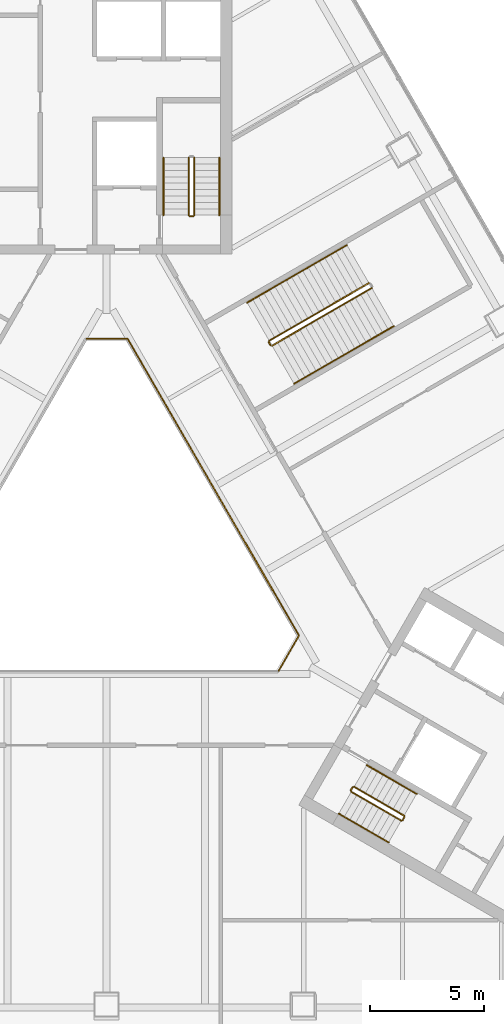
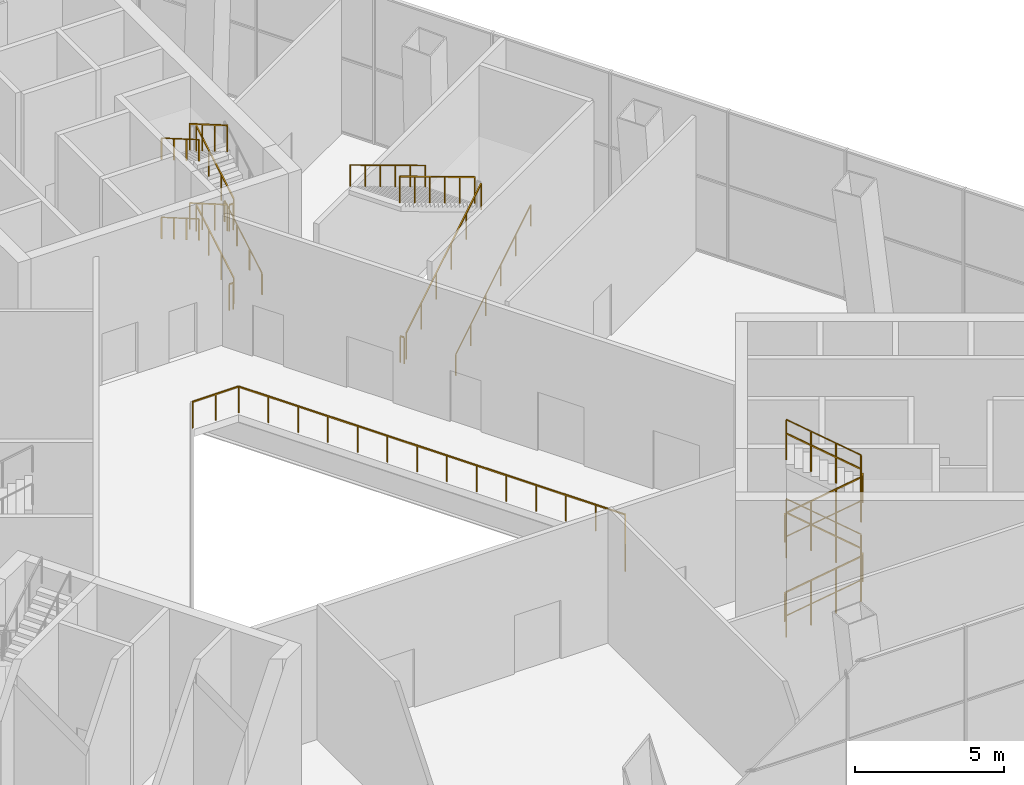
# One storey, part 16 of 17: 27 railings.
"""IFC4 building model written with IfcOpenShell, lengths in metres."""

from ifc_helpers import new_model, si_unit, direction, frame, origin, origin_2d, place, context, subcontext, project, spatial, rectangle, circle, extrude, material, type_object, element, save


model = new_model("IFC4")

# Units and contexts
model_context = context("Model", 3, precision=1e-05, world=origin(), true_north=direction((0.0, 1.0)))
body_context = subcontext(model_context, "Body", "Model", "MODEL_VIEW")
ifc_project = project(units=[si_unit("LENGTHUNIT", "METRE"), si_unit("AREAUNIT", "SQUARE_METRE"), si_unit("VOLUMEUNIT", "CUBIC_METRE"), si_unit("PLANEANGLEUNIT", "RADIAN"), si_unit("MASSUNIT", "GRAM", prefix="KILO")], contexts=[model_context])

# Site, building, storey
site_placement = place(None, origin())
site = spatial("IfcSite", under=ifc_project, at=site_placement, CompositionType="ELEMENT")
building_placement = place(site_placement, origin())
building = spatial("IfcBuilding", under=site, at=building_placement, Name="Apuvela Tower Hotel", CompositionType="ELEMENT")
storey_placement = place(building_placement, frame((0.0, 0.0, 9.0)))
storey = spatial("IfcBuildingStorey", under=building, at=storey_placement, Name="L01", CompositionType="ELEMENT", Elevation=9.0)

# Railings
ifc_material_1 = material(Name="Steel S275 balustrade", Category="steel")
railing_type_1 = type_object("IfcRailingType", Name="COR-GUARD-1100", PredefinedType="GUARDRAIL", material=ifc_material_1)
railing_1_placement = place(storey_placement, frame((3.85009765625, 14.60009765625, 0.16259765625)))
element("IfcRailing", 1, at=railing_1_placement, inside=storey, type_object=railing_type_1, Name="L01 ST1 stair guard 1", PredefinedType="GUARDRAIL", context=body_context, shape_type="SweptSolid", body=[
    extrude(rectangle(XDim=0.048095703125, YDim=0.048095703125, at=origin_2d()), frame((0.0, 0.0, 1.076171875), z_axis=(0.0, 0.864913338283, 0.50192122615), x_axis=(-1.0, 0.0, 0.0)), (0.0, 0.0, 1.0), 2.91357421875),
    extrude(rectangle(XDim=0.0419921875, YDim=0.0419921875, at=origin_2d()), origin(), (0.0, 0.0, 1.0), 1.052001953125),
    extrude(rectangle(XDim=0.0419921875, YDim=0.0419921875, at=origin_2d()), frame((0.0, 0.840087890625, 0.487548828125)), (0.0, 0.0, 1.0), 1.052001953125),
    extrude(rectangle(XDim=0.0419921875, YDim=0.0419921875, at=origin_2d()), frame((0.0, 1.679931640625, 0.974853515625)), (0.0, 0.0, 1.0), 1.052001953125),
    extrude(rectangle(XDim=0.0419921875, YDim=0.0419921875, at=origin_2d()), frame((0.0, 2.52001953125, 1.46240234375)), (0.0, 0.0, 1.0), 1.052001953125),
])
railing_2_placement = place(storey_placement, frame((3.60009765625, 17.1201171875, 1.78759765625)))
element("IfcRailing", 2, at=railing_2_placement, inside=storey, type_object=railing_type_1, Name="L01 ST1 stair guard 3", PredefinedType="GUARDRAIL", context=body_context, shape_type="SweptSolid", body=[
    extrude(rectangle(XDim=0.048095703125, YDim=0.048095703125, at=origin_2d()), frame((0.0, 0.0, 1.076171875), z_axis=(0.0, -0.864913338283, 0.50192122615), x_axis=(1.0, 0.0, 0.0)), (0.0, 0.0, 1.0), 2.91357421875),
    extrude(rectangle(XDim=0.0419921875, YDim=0.0419921875, at=origin_2d()), origin(), (0.0, 0.0, 1.0), 1.052001953125),
    extrude(rectangle(XDim=0.0419921875, YDim=0.0419921875, at=origin_2d()), frame((0.0, -0.840087890625, 0.487548828125)), (0.0, 0.0, 1.0), 1.052001953125),
    extrude(rectangle(XDim=0.0419921875, YDim=0.0419921875, at=origin_2d()), frame((0.0, -1.679931640625, 0.974853515625)), (0.0, 0.0, 1.0), 1.052001953125),
    extrude(rectangle(XDim=0.0419921875, YDim=0.0419921875, at=origin_2d()), frame((0.0, -2.52001953125, 1.46240234375)), (0.0, 0.0, 1.0), 1.052001953125),
])
railing_3_placement = place(storey_placement, frame((3.800048828125, 14.550048828125, 3.25)))
element("IfcRailing", 3, at=railing_3_placement, inside=storey, type_object=railing_type_1, Name="L01 ST1 stair guard 4", PredefinedType="GUARDRAIL", context=body_context, shape_type="SweptSolid", body=[
    extrude(rectangle(XDim=0.048095703125, YDim=0.048095703125, at=origin_2d()), frame((0.0, 0.0, 1.076171875), z_axis=(-1.0, 0.0, 0.0), x_axis=(0.0, -1.0, 0.0)), (0.0, 0.0, 1.0), 0.150146484375),
    extrude(rectangle(XDim=0.0419921875, YDim=0.0419921875, at=origin_2d()), origin(), (0.0, 0.0, 1.0), 1.052001953125),
    extrude(rectangle(XDim=0.0419921875, YDim=0.0419921875, at=origin_2d()), frame((-0.150146484375, 0.0, 0.0)), (0.0, 0.0, 1.0), 1.052001953125),
])
railing_4_placement = place(storey_placement, frame((3.85009765625, 14.60009765625, 3.41259765625)))
element("IfcRailing", 4, at=railing_4_placement, inside=storey, type_object=railing_type_1, Name="L01 ST1 stair guard 5", PredefinedType="GUARDRAIL", context=body_context, shape_type="SweptSolid", body=[
    extrude(rectangle(XDim=0.048095703125, YDim=0.048095703125, at=origin_2d()), frame((0.0, 0.0, 1.076171875), z_axis=(0.0, 0.864913338283, 0.50192122615), x_axis=(-1.0, 0.0, 0.0)), (0.0, 0.0, 1.0), 2.91357421875),
    extrude(rectangle(XDim=0.0419921875, YDim=0.0419921875, at=origin_2d()), origin(), (0.0, 0.0, 1.0), 1.052001953125),
    extrude(rectangle(XDim=0.0419921875, YDim=0.0419921875, at=origin_2d()), frame((0.0, 0.840087890625, 0.487548828125)), (0.0, 0.0, 1.0), 1.052001953125),
    extrude(rectangle(XDim=0.0419921875, YDim=0.0419921875, at=origin_2d()), frame((0.0, 1.679931640625, 0.974853515625)), (0.0, 0.0, 1.0), 1.052001953125),
    extrude(rectangle(XDim=0.0419921875, YDim=0.0419921875, at=origin_2d()), frame((0.0, 2.52001953125, 1.46240234375)), (0.0, 0.0, 1.0), 1.052001953125),
])
railing_5_placement = place(storey_placement, frame((3.60009765625, 17.1201171875, 5.03759765625)))
element("IfcRailing", 5, at=railing_5_placement, inside=storey, type_object=railing_type_1, Name="L01 ST1 stair guard 7", PredefinedType="GUARDRAIL", context=body_context, shape_type="SweptSolid", body=[
    extrude(rectangle(XDim=0.048095703125, YDim=0.048095703125, at=origin_2d()), frame((0.0, 0.0, 1.076171875), z_axis=(0.0, -0.864913338283, 0.50192122615), x_axis=(1.0, 0.0, 0.0)), (0.0, 0.0, 1.0), 2.91357421875),
    extrude(rectangle(XDim=0.0419921875, YDim=0.0419921875, at=origin_2d()), origin(), (0.0, 0.0, 1.0), 1.052001953125),
    extrude(rectangle(XDim=0.0419921875, YDim=0.0419921875, at=origin_2d()), frame((0.0, -0.840087890625, 0.487548828125)), (0.0, 0.0, 1.0), 1.052001953125),
    extrude(rectangle(XDim=0.0419921875, YDim=0.0419921875, at=origin_2d()), frame((0.0, -1.679931640625, 0.974853515625)), (0.0, 0.0, 1.0), 1.052001953125),
    extrude(rectangle(XDim=0.0419921875, YDim=0.0419921875, at=origin_2d()), frame((0.0, -2.52001953125, 1.46240234375)), (0.0, 0.0, 1.0), 1.052001953125),
])
railing_6_placement = place(storey_placement, frame((3.800048828125, 14.550048828125, 0.0)))
element("IfcRailing", 6, at=railing_6_placement, inside=storey, type_object=railing_type_1, Name="L01 ST1 stair guard 8", PredefinedType="GUARDRAIL", context=body_context, shape_type="SweptSolid", body=[
    extrude(rectangle(XDim=0.048095703125, YDim=0.048095703125, at=origin_2d()), frame((0.0, 0.0, 1.076171875), z_axis=(-1.0, 0.0, 0.0), x_axis=(0.0, -1.0, 0.0)), (0.0, 0.0, 1.0), 0.150146484375),
    extrude(rectangle(XDim=0.0419921875, YDim=0.0419921875, at=origin_2d()), origin(), (0.0, 0.0, 1.0), 1.052001953125),
    extrude(rectangle(XDim=0.0419921875, YDim=0.0419921875, at=origin_2d()), frame((-0.150146484375, 0.0, 0.0)), (0.0, 0.0, 1.0), 1.052001953125),
])
railing_7_placement = place(storey_placement, frame((10.718994140625, -10.63427734375, 0.16259765625)))
element("IfcRailing", 7, at=railing_7_placement, inside=storey, type_object=railing_type_1, Name="L01 ST3 stair guard 1", PredefinedType="GUARDRAIL", context=body_context, shape_type="SweptSolid", body=[
    extrude(rectangle(XDim=0.048095703125, YDim=0.048095703125, at=origin_2d()), frame((0.0, 0.0, 1.076171875), z_axis=(0.749032721991, -0.432459769347, 0.501924824334), x_axis=(0.500004791531, 0.866022637375, 0.0)), (0.0, 0.0, 1.0), 2.91357421875),
    extrude(rectangle(XDim=0.0419921875, YDim=0.0419921875, at=origin_2d()), origin(), (0.0, 0.0, 1.0), 1.052001953125),
    extrude(rectangle(XDim=0.0419921875, YDim=0.0419921875, at=origin_2d()), frame((0.7275390625, -0.419921875, 0.487548828125)), (0.0, 0.0, 1.0), 1.052001953125),
    extrude(rectangle(XDim=0.0419921875, YDim=0.0419921875, at=origin_2d()), frame((1.454833984375, -0.840087890625, 0.974853515625)), (0.0, 0.0, 1.0), 1.052001953125),
    extrude(rectangle(XDim=0.0419921875, YDim=0.0419921875, at=origin_2d()), frame((2.182373046875, -1.260009765625, 1.46240234375)), (0.0, 0.0, 1.0), 1.052001953125),
])
railing_8_placement = place(storey_placement, frame((12.9697265625, -11.8759765625, 1.625)))
element("IfcRailing", 8, at=railing_8_placement, inside=storey, type_object=railing_type_1, Name="L01 ST3 stair guard 2", PredefinedType="GUARDRAIL", context=body_context, shape_type="SweptSolid", body=[
    extrude(rectangle(XDim=0.048095703125, YDim=0.048095703125, at=origin_2d()), frame((0.0, 0.0, 1.076171875), z_axis=(0.499816412211, 0.866131372301, 0.0), x_axis=(-0.866131372301, 0.499816412211, 0.0)), (0.0, 0.0, 1.0), 0.14990234375),
    extrude(rectangle(XDim=0.0419921875, YDim=0.0419921875, at=origin_2d()), origin(), (0.0, 0.0, 1.0), 1.052001953125),
    extrude(rectangle(XDim=0.0419921875, YDim=0.0419921875, at=origin_2d()), frame((0.074951171875, 0.1298828125, 0.0)), (0.0, 0.0, 1.0), 1.052001953125),
])
railing_9_placement = place(storey_placement, frame((13.0263671875, -11.677734375, 1.78759765625)))
element("IfcRailing", 9, at=railing_9_placement, inside=storey, type_object=railing_type_1, Name="L01 ST3 stair guard 3", PredefinedType="GUARDRAIL", context=body_context, shape_type="SweptSolid", body=[
    extrude(rectangle(XDim=0.048095703125, YDim=0.048095703125, at=origin_2d()), frame((0.0, 0.0, 1.076171875), z_axis=(-0.749032721991, 0.432459769347, 0.501924824334), x_axis=(-0.500004791531, -0.866022637375, 0.0)), (0.0, 0.0, 1.0), 2.91357421875),
    extrude(rectangle(XDim=0.0419921875, YDim=0.0419921875, at=origin_2d()), origin(), (0.0, 0.0, 1.0), 1.052001953125),
    extrude(rectangle(XDim=0.0419921875, YDim=0.0419921875, at=origin_2d()), frame((-0.7275390625, 0.419921875, 0.487548828125)), (0.0, 0.0, 1.0), 1.052001953125),
    extrude(rectangle(XDim=0.0419921875, YDim=0.0419921875, at=origin_2d()), frame((-1.454833984375, 0.840087890625, 0.974853515625)), (0.0, 0.0, 1.0), 1.052001953125),
    extrude(rectangle(XDim=0.0419921875, YDim=0.0419921875, at=origin_2d()), frame((-2.182373046875, 1.260009765625, 1.46240234375)), (0.0, 0.0, 1.0), 1.052001953125),
])
railing_10_placement = place(storey_placement, frame((10.70068359375, -10.56591796875, 3.25)))
element("IfcRailing", 10, at=railing_10_placement, inside=storey, type_object=railing_type_1, Name="L01 ST3 stair guard 4", PredefinedType="GUARDRAIL", context=body_context, shape_type="SweptSolid", body=[
    extrude(rectangle(XDim=0.048095703125, YDim=0.048095703125, at=origin_2d()), frame((0.0, 0.0, 1.076171875), z_axis=(0.499816412211, 0.866131372301, 0.0), x_axis=(-0.866131372301, 0.499816412211, 0.0)), (0.0, 0.0, 1.0), 0.14990234375),
    extrude(rectangle(XDim=0.0419921875, YDim=0.0419921875, at=origin_2d()), origin(), (0.0, 0.0, 1.0), 1.052001953125),
    extrude(rectangle(XDim=0.0419921875, YDim=0.0419921875, at=origin_2d()), frame((0.074951171875, 0.1298828125, 0.0)), (0.0, 0.0, 1.0), 1.052001953125),
])
railing_11_placement = place(storey_placement, frame((10.718994140625, -10.63427734375, 3.41259765625)))
element("IfcRailing", 11, at=railing_11_placement, inside=storey, type_object=railing_type_1, Name="L01 ST3 stair guard 5", PredefinedType="GUARDRAIL", context=body_context, shape_type="SweptSolid", body=[
    extrude(rectangle(XDim=0.048095703125, YDim=0.048095703125, at=origin_2d()), frame((0.0, 0.0, 1.076171875), z_axis=(0.749032721991, -0.432459769347, 0.501924824334), x_axis=(0.500004791531, 0.866022637375, 0.0)), (0.0, 0.0, 1.0), 2.91357421875),
    extrude(rectangle(XDim=0.0419921875, YDim=0.0419921875, at=origin_2d()), origin(), (0.0, 0.0, 1.0), 1.052001953125),
    extrude(rectangle(XDim=0.0419921875, YDim=0.0419921875, at=origin_2d()), frame((0.7275390625, -0.419921875, 0.487548828125)), (0.0, 0.0, 1.0), 1.052001953125),
    extrude(rectangle(XDim=0.0419921875, YDim=0.0419921875, at=origin_2d()), frame((1.454833984375, -0.840087890625, 0.974853515625)), (0.0, 0.0, 1.0), 1.052001953125),
    extrude(rectangle(XDim=0.0419921875, YDim=0.0419921875, at=origin_2d()), frame((2.182373046875, -1.260009765625, 1.46240234375)), (0.0, 0.0, 1.0), 1.052001953125),
])
railing_12_placement = place(storey_placement, frame((12.9697265625, -11.8759765625, 4.875)))
element("IfcRailing", 12, at=railing_12_placement, inside=storey, type_object=railing_type_1, Name="L01 ST3 stair guard 6", PredefinedType="GUARDRAIL", context=body_context, shape_type="SweptSolid", body=[
    extrude(rectangle(XDim=0.048095703125, YDim=0.048095703125, at=origin_2d()), frame((0.0, 0.0, 1.076171875), z_axis=(0.499816412211, 0.866131372301, 0.0), x_axis=(-0.866131372301, 0.499816412211, 0.0)), (0.0, 0.0, 1.0), 0.14990234375),
    extrude(rectangle(XDim=0.0419921875, YDim=0.0419921875, at=origin_2d()), origin(), (0.0, 0.0, 1.0), 1.052001953125),
    extrude(rectangle(XDim=0.0419921875, YDim=0.0419921875, at=origin_2d()), frame((0.074951171875, 0.1298828125, 0.0)), (0.0, 0.0, 1.0), 1.052001953125),
])
railing_13_placement = place(storey_placement, frame((13.0263671875, -11.677734375, 5.03759765625)))
element("IfcRailing", 13, at=railing_13_placement, inside=storey, type_object=railing_type_1, Name="L01 ST3 stair guard 7", PredefinedType="GUARDRAIL", context=body_context, shape_type="SweptSolid", body=[
    extrude(rectangle(XDim=0.048095703125, YDim=0.048095703125, at=origin_2d()), frame((0.0, 0.0, 1.076171875), z_axis=(-0.749032721991, 0.432459769347, 0.501924824334), x_axis=(-0.500004791531, -0.866022637375, 0.0)), (0.0, 0.0, 1.0), 2.91357421875),
    extrude(rectangle(XDim=0.0419921875, YDim=0.0419921875, at=origin_2d()), origin(), (0.0, 0.0, 1.0), 1.052001953125),
    extrude(rectangle(XDim=0.0419921875, YDim=0.0419921875, at=origin_2d()), frame((-0.7275390625, 0.419921875, 0.487548828125)), (0.0, 0.0, 1.0), 1.052001953125),
    extrude(rectangle(XDim=0.0419921875, YDim=0.0419921875, at=origin_2d()), frame((-1.454833984375, 0.840087890625, 0.974853515625)), (0.0, 0.0, 1.0), 1.052001953125),
    extrude(rectangle(XDim=0.0419921875, YDim=0.0419921875, at=origin_2d()), frame((-2.182373046875, 1.260009765625, 1.46240234375)), (0.0, 0.0, 1.0), 1.052001953125),
])
railing_14_placement = place(storey_placement, frame((10.70068359375, -10.56591796875, 0.0)))
element("IfcRailing", 14, at=railing_14_placement, inside=storey, type_object=railing_type_1, Name="L01 ST3 stair guard 8", PredefinedType="GUARDRAIL", context=body_context, shape_type="SweptSolid", body=[
    extrude(rectangle(XDim=0.048095703125, YDim=0.048095703125, at=origin_2d()), frame((0.0, 0.0, 1.076171875), z_axis=(0.499816412211, 0.866131372301, 0.0), x_axis=(-0.866131372301, 0.499816412211, 0.0)), (0.0, 0.0, 1.0), 0.14990234375),
    extrude(rectangle(XDim=0.0419921875, YDim=0.0419921875, at=origin_2d()), origin(), (0.0, 0.0, 1.0), 1.052001953125),
    extrude(rectangle(XDim=0.0419921875, YDim=0.0419921875, at=origin_2d()), frame((0.074951171875, 0.1298828125, 0.0)), (0.0, 0.0, 1.0), 1.052001953125),
])
ifc_material_2 = material(Name="Stainless steel 316 handrail", Category="steel")
railing_type_2 = type_object("IfcRailingType", Name="COR-HANDRAIL-900", PredefinedType="HANDRAIL", material=ifc_material_2)
railing_15_placement = place(storey_placement, frame((4.949951171875, 14.60009765625, 0.16259765625)))
element("IfcRailing", 15, at=railing_15_placement, inside=storey, type_object=railing_type_2, Name="L01 ST1 stair handrail 1", PredefinedType="HANDRAIL", context=body_context, shape_type="SweptSolid", body=[
    extrude(circle(Radius=0.02392578125, at=origin_2d()), frame((0.0, 0.0, 0.8759765625), z_axis=(0.0, 0.864913338283, 0.50192122615), x_axis=(-1.0, 0.0, 0.0)), (0.0, 0.0, 1.0), 2.91357421875),
    extrude(rectangle(XDim=0.0419921875, YDim=0.0419921875, at=origin_2d()), origin(), (0.0, 0.0, 1.0), 0.851806640625),
    extrude(rectangle(XDim=0.0419921875, YDim=0.0419921875, at=origin_2d()), frame((0.0, 0.840087890625, 0.487548828125)), (0.0, 0.0, 1.0), 0.851806640625),
    extrude(rectangle(XDim=0.0419921875, YDim=0.0419921875, at=origin_2d()), frame((0.0, 1.679931640625, 0.974853515625)), (0.0, 0.0, 1.0), 0.851806640625),
    extrude(rectangle(XDim=0.0419921875, YDim=0.0419921875, at=origin_2d()), frame((0.0, 2.52001953125, 1.46240234375)), (0.0, 0.0, 1.0), 0.851806640625),
])
for number, where, name in (
    (16, (2.5, 17.1201171875, 1.78759765625), "L01 ST1 stair handrail 2"),
    (17, (2.5, 17.1201171875, 5.03759765625), "L01 ST1 stair handrail 4"),
):
    element("IfcRailing", number, at=place(storey_placement, frame(where)), inside=storey, type_object=railing_type_2, Name=name, PredefinedType="HANDRAIL", context=body_context, shape_type="SweptSolid", body=[
        extrude(circle(Radius=0.02392578125, at=origin_2d()), frame((0.0, 0.0, 0.8759765625), z_axis=(0.0, -0.864913338283, 0.50192122615), x_axis=(1.0, 0.0, 0.0)), (0.0, 0.0, 1.0), 2.91357421875),
        extrude(rectangle(XDim=0.0419921875, YDim=0.0419921875, at=origin_2d()), origin(), (0.0, 0.0, 1.0), 0.851806640625),
        extrude(rectangle(XDim=0.0419921875, YDim=0.0419921875, at=origin_2d()), frame((0.0, -0.840087890625, 0.487548828125)), (0.0, 0.0, 1.0), 0.851806640625),
        extrude(rectangle(XDim=0.0419921875, YDim=0.0419921875, at=origin_2d()), frame((0.0, -1.679931640625, 0.974853515625)), (0.0, 0.0, 1.0), 0.851806640625),
        extrude(rectangle(XDim=0.0419921875, YDim=0.0419921875, at=origin_2d()), frame((0.0, -2.52001953125, 1.46240234375)), (0.0, 0.0, 1.0), 0.851806640625),
    ])
railing_16_placement = place(storey_placement, frame((10.1689453125, -11.5869140625, 0.16259765625)))
element("IfcRailing", 18, at=railing_16_placement, inside=storey, type_object=railing_type_2, Name="L01 ST3 stair handrail 1", PredefinedType="HANDRAIL", context=body_context, shape_type="SweptSolid", body=[
    extrude(circle(Radius=0.02392578125, at=origin_2d()), frame((0.0, 0.0, 0.8759765625), z_axis=(0.749032721991, -0.432459769347, 0.501924824334), x_axis=(0.500004791531, 0.866022637375, 0.0)), (0.0, 0.0, 1.0), 2.91357421875),
    extrude(rectangle(XDim=0.0419921875, YDim=0.0419921875, at=origin_2d()), origin(), (0.0, 0.0, 1.0), 0.851806640625),
    extrude(rectangle(XDim=0.0419921875, YDim=0.0419921875, at=origin_2d()), frame((0.7275390625, -0.419921875, 0.487548828125)), (0.0, 0.0, 1.0), 0.851806640625),
    extrude(rectangle(XDim=0.0419921875, YDim=0.0419921875, at=origin_2d()), frame((1.454833984375, -0.840087890625, 0.974853515625)), (0.0, 0.0, 1.0), 0.851806640625),
    extrude(rectangle(XDim=0.0419921875, YDim=0.0419921875, at=origin_2d()), frame((2.182373046875, -1.260009765625, 1.46240234375)), (0.0, 0.0, 1.0), 0.851806640625),
])
railing_17_placement = place(storey_placement, frame((13.576416015625, -10.72509765625, 1.78759765625)))
element("IfcRailing", 19, at=railing_17_placement, inside=storey, type_object=railing_type_2, Name="L01 ST3 stair handrail 2", PredefinedType="HANDRAIL", context=body_context, shape_type="SweptSolid", body=[
    extrude(circle(Radius=0.02392578125, at=origin_2d()), frame((0.0, 0.0, 0.8759765625), z_axis=(-0.749032721991, 0.432459769347, 0.501924824334), x_axis=(-0.500004791531, -0.866022637375, 0.0)), (0.0, 0.0, 1.0), 2.91357421875),
    extrude(rectangle(XDim=0.0419921875, YDim=0.0419921875, at=origin_2d()), origin(), (0.0, 0.0, 1.0), 0.851806640625),
    extrude(rectangle(XDim=0.0419921875, YDim=0.0419921875, at=origin_2d()), frame((-0.7275390625, 0.419921875, 0.487548828125)), (0.0, 0.0, 1.0), 0.851806640625),
    extrude(rectangle(XDim=0.0419921875, YDim=0.0419921875, at=origin_2d()), frame((-1.454833984375, 0.840087890625, 0.974853515625)), (0.0, 0.0, 1.0), 0.851806640625),
    extrude(rectangle(XDim=0.0419921875, YDim=0.0419921875, at=origin_2d()), frame((-2.182373046875, 1.260009765625, 1.46240234375)), (0.0, 0.0, 1.0), 0.851806640625),
])
railing_18_placement = place(storey_placement, frame((10.1689453125, -11.5869140625, 3.41259765625)))
element("IfcRailing", 20, at=railing_18_placement, inside=storey, type_object=railing_type_2, Name="L01 ST3 stair handrail 3", PredefinedType="HANDRAIL", context=body_context, shape_type="SweptSolid", body=[
    extrude(circle(Radius=0.02392578125, at=origin_2d()), frame((0.0, 0.0, 0.8759765625), z_axis=(0.749032721991, -0.432459769347, 0.501924824334), x_axis=(0.500004791531, 0.866022637375, 0.0)), (0.0, 0.0, 1.0), 2.91357421875),
    extrude(rectangle(XDim=0.0419921875, YDim=0.0419921875, at=origin_2d()), origin(), (0.0, 0.0, 1.0), 0.851806640625),
    extrude(rectangle(XDim=0.0419921875, YDim=0.0419921875, at=origin_2d()), frame((0.7275390625, -0.419921875, 0.487548828125)), (0.0, 0.0, 1.0), 0.851806640625),
    extrude(rectangle(XDim=0.0419921875, YDim=0.0419921875, at=origin_2d()), frame((1.454833984375, -0.840087890625, 0.974853515625)), (0.0, 0.0, 1.0), 0.851806640625),
    extrude(rectangle(XDim=0.0419921875, YDim=0.0419921875, at=origin_2d()), frame((2.182373046875, -1.260009765625, 1.46240234375)), (0.0, 0.0, 1.0), 0.851806640625),
])
railing_19_placement = place(storey_placement, frame((13.576416015625, -10.72509765625, 5.03759765625)))
element("IfcRailing", 21, at=railing_19_placement, inside=storey, type_object=railing_type_2, Name="L01 ST3 stair handrail 4", PredefinedType="HANDRAIL", context=body_context, shape_type="SweptSolid", body=[
    extrude(circle(Radius=0.02392578125, at=origin_2d()), frame((0.0, 0.0, 0.8759765625), z_axis=(-0.749032721991, 0.432459769347, 0.501924824334), x_axis=(-0.500004791531, -0.866022637375, 0.0)), (0.0, 0.0, 1.0), 2.91357421875),
    extrude(rectangle(XDim=0.0419921875, YDim=0.0419921875, at=origin_2d()), origin(), (0.0, 0.0, 1.0), 0.851806640625),
    extrude(rectangle(XDim=0.0419921875, YDim=0.0419921875, at=origin_2d()), frame((-0.7275390625, 0.419921875, 0.487548828125)), (0.0, 0.0, 1.0), 0.851806640625),
    extrude(rectangle(XDim=0.0419921875, YDim=0.0419921875, at=origin_2d()), frame((-1.454833984375, 0.840087890625, 0.974853515625)), (0.0, 0.0, 1.0), 0.851806640625),
    extrude(rectangle(XDim=0.0419921875, YDim=0.0419921875, at=origin_2d()), frame((-2.182373046875, 1.260009765625, 1.46240234375)), (0.0, 0.0, 1.0), 0.851806640625),
])
ifc_material_3 = material(Name="Stainless steel 316 rail with laminated glass infill", Category="steel")
railing_type_3 = type_object("IfcRailingType", Name="ENV-GUARD-1100", PredefinedType="GUARDRAIL", material=ifc_material_3)
railing_20_placement = place(storey_placement, frame((7.53564453125, -5.347900390625, 0.0)))
element("IfcRailing", 22, at=railing_20_placement, inside=storey, type_object=railing_type_3, Name="Atrium void guard B L01", PredefinedType="GUARDRAIL", context=body_context, shape_type="SweptSolid", body=[
    extrude(rectangle(XDim=0.050048828125, YDim=0.050048828125, at=origin_2d()), frame((0.0, 0.0, 1.0751953125), z_axis=(0.499958946799, 0.866049104564, 0.0), x_axis=(-0.866049104564, 0.499958946799, 0.0)), (0.0, 0.0, 1.0), 1.787353515625),
    extrude(rectangle(XDim=0.050048828125, YDim=0.050048828125, at=origin_2d()), frame((0.8935546875, 1.5478515625, 1.0751953125), z_axis=(-0.499990886379, 0.866030665472, 0.0), x_axis=(-0.866030665472, -0.499990886379, 0.0)), (0.0, 0.0, 1.0), 15.010986328125),
    extrude(rectangle(XDim=0.050048828125, YDim=0.050048828125, at=origin_2d()), frame((-6.61181640625, 14.5478515625, 1.0751953125), z_axis=(-1.0, 0.0, 0.0), x_axis=(0.0, -1.0, 0.0)), (0.0, 0.0, 1.0), 1.78759765625),
    extrude(rectangle(XDim=0.0400390625, YDim=0.0400390625, at=origin_2d()), origin(), (0.0, 0.0, 1.0), 1.050048828125),
    extrude(rectangle(XDim=0.0400390625, YDim=0.0400390625, at=origin_2d()), frame((0.44677734375, 0.77392578125, 0.0)), (0.0, 0.0, 1.0), 1.050048828125),
    extrude(rectangle(XDim=0.0400390625, YDim=0.0400390625, at=origin_2d()), frame((0.8935546875, 1.5478515625, 0.0)), (0.0, 0.0, 1.0), 1.050048828125),
    extrude(rectangle(XDim=0.0400390625, YDim=0.0400390625, at=origin_2d()), frame((0.316162109375, 2.5478515625, 0.0)), (0.0, 0.0, 1.0), 1.050048828125),
    extrude(rectangle(XDim=0.0400390625, YDim=0.0400390625, at=origin_2d()), frame((-0.26123046875, 3.5478515625, 0.0)), (0.0, 0.0, 1.0), 1.050048828125),
    extrude(rectangle(XDim=0.0400390625, YDim=0.0400390625, at=origin_2d()), frame((-0.83837890625, 4.5478515625, 0.0)), (0.0, 0.0, 1.0), 1.050048828125),
    extrude(rectangle(XDim=0.0400390625, YDim=0.0400390625, at=origin_2d()), frame((-1.415771484375, 5.5478515625, 0.0)), (0.0, 0.0, 1.0), 1.050048828125),
    extrude(rectangle(XDim=0.0400390625, YDim=0.0400390625, at=origin_2d()), frame((-1.9931640625, 6.5478515625, 0.0)), (0.0, 0.0, 1.0), 1.050048828125),
    extrude(rectangle(XDim=0.0400390625, YDim=0.0400390625, at=origin_2d()), frame((-2.570556640625, 7.5478515625, 0.0)), (0.0, 0.0, 1.0), 1.050048828125),
    extrude(rectangle(XDim=0.0400390625, YDim=0.0400390625, at=origin_2d()), frame((-3.147705078125, 8.5478515625, 0.0)), (0.0, 0.0, 1.0), 1.050048828125),
    extrude(rectangle(XDim=0.0400390625, YDim=0.0400390625, at=origin_2d()), frame((-3.72509765625, 9.5478515625, 0.0)), (0.0, 0.0, 1.0), 1.050048828125),
    extrude(rectangle(XDim=0.0400390625, YDim=0.0400390625, at=origin_2d()), frame((-4.302490234375, 10.5478515625, 0.0)), (0.0, 0.0, 1.0), 1.050048828125),
    extrude(rectangle(XDim=0.0400390625, YDim=0.0400390625, at=origin_2d()), frame((-4.8798828125, 11.5478515625, 0.0)), (0.0, 0.0, 1.0), 1.050048828125),
    extrude(rectangle(XDim=0.0400390625, YDim=0.0400390625, at=origin_2d()), frame((-5.45703125, 12.5478515625, 0.0)), (0.0, 0.0, 1.0), 1.050048828125),
    extrude(rectangle(XDim=0.0400390625, YDim=0.0400390625, at=origin_2d()), frame((-6.034423828125, 13.5478515625, 0.0)), (0.0, 0.0, 1.0), 1.050048828125),
    extrude(rectangle(XDim=0.0400390625, YDim=0.0400390625, at=origin_2d()), frame((-6.61181640625, 14.5478515625, 0.0)), (0.0, 0.0, 1.0), 1.050048828125),
    extrude(rectangle(XDim=0.0400390625, YDim=0.0400390625, at=origin_2d()), frame((-7.505615234375, 14.5478515625, 0.0)), (0.0, 0.0, 1.0), 1.050048828125),
    extrude(rectangle(XDim=0.0400390625, YDim=0.0400390625, at=origin_2d()), frame((-8.3994140625, 14.5478515625, 0.0)), (0.0, 0.0, 1.0), 1.050048828125),
])
ifc_material_4 = material(Name="Steel S355 guard with laminated glass infill", Category="steel")
railing_type_4 = type_object("IfcRailingType", Name="SPC-GUARD-1100", PredefinedType="GUARDRAIL", material=ifc_material_4)
railing_21_placement = place(storey_placement, frame((7.250732421875, 8.8916015625, 0.171142578125)))
element("IfcRailing", 23, at=railing_21_placement, inside=storey, type_object=railing_type_4, Name="L01 PS1 stair guard 1", PredefinedType="GUARDRAIL", context=body_context, shape_type="SweptSolid", body=[
    extrude(rectangle(XDim=0.048095703125, YDim=0.048095703125, at=origin_2d()), frame((0.0, 0.0, 1.076171875), z_axis=(0.739035552181, 0.426687826916, 0.521309841624), x_axis=(-0.500004791531, 0.866022637375, 0.0)), (0.0, 0.0, 1.0), 5.906005859375),
    extrude(rectangle(XDim=0.0419921875, YDim=0.0419921875, at=origin_2d()), origin(), (0.0, 0.0, 1.0), 1.052001953125),
    extrude(rectangle(XDim=0.0419921875, YDim=0.0419921875, at=origin_2d()), frame((0.873046875, 0.50390625, 0.61572265625)), (0.0, 0.0, 1.0), 1.052001953125),
    extrude(rectangle(XDim=0.0419921875, YDim=0.0419921875, at=origin_2d()), frame((1.745849609375, 1.008056640625, 1.2314453125)), (0.0, 0.0, 1.0), 1.052001953125),
    extrude(rectangle(XDim=0.0419921875, YDim=0.0419921875, at=origin_2d()), frame((2.618896484375, 1.511962890625, 1.847412109375)), (0.0, 0.0, 1.0), 1.052001953125),
    extrude(rectangle(XDim=0.0419921875, YDim=0.0419921875, at=origin_2d()), frame((3.49169921875, 2.01611328125, 2.463134765625)), (0.0, 0.0, 1.0), 1.052001953125),
    extrude(rectangle(XDim=0.0419921875, YDim=0.0419921875, at=origin_2d()), frame((4.36474609375, 2.52001953125, 3.078857421875)), (0.0, 0.0, 1.0), 1.052001953125),
])
railing_22_placement = place(storey_placement, frame((11.490478515625, 11.628173828125, 3.421142578125)))
element("IfcRailing", 24, at=railing_22_placement, inside=storey, type_object=railing_type_4, Name="L01 PS1 stair guard 3", PredefinedType="GUARDRAIL", context=body_context, shape_type="SweptSolid", body=[
    extrude(rectangle(XDim=0.048095703125, YDim=0.048095703125, at=origin_2d()), frame((0.0, 0.0, 1.076171875), z_axis=(-0.739035552181, -0.426687826916, 0.521309841624), x_axis=(0.500004791531, -0.866022637375, 0.0)), (0.0, 0.0, 1.0), 5.906005859375),
    extrude(rectangle(XDim=0.0419921875, YDim=0.0419921875, at=origin_2d()), origin(), (0.0, 0.0, 1.0), 1.052001953125),
    extrude(rectangle(XDim=0.0419921875, YDim=0.0419921875, at=origin_2d()), frame((-0.873046875, -0.50390625, 0.61572265625)), (0.0, 0.0, 1.0), 1.052001953125),
    extrude(rectangle(XDim=0.0419921875, YDim=0.0419921875, at=origin_2d()), frame((-1.745849609375, -1.008056640625, 1.2314453125)), (0.0, 0.0, 1.0), 1.052001953125),
    extrude(rectangle(XDim=0.0419921875, YDim=0.0419921875, at=origin_2d()), frame((-2.618896484375, -1.511962890625, 1.847412109375)), (0.0, 0.0, 1.0), 1.052001953125),
    extrude(rectangle(XDim=0.0419921875, YDim=0.0419921875, at=origin_2d()), frame((-3.49169921875, -2.01611328125, 2.463134765625)), (0.0, 0.0, 1.0), 1.052001953125),
    extrude(rectangle(XDim=0.0419921875, YDim=0.0419921875, at=origin_2d()), frame((-4.36474609375, -2.52001953125, 3.078857421875)), (0.0, 0.0, 1.0), 1.052001953125),
])
railing_23_placement = place(storey_placement, frame((7.182373046875, 8.909912109375, 0.0)))
element("IfcRailing", 25, at=railing_23_placement, inside=storey, type_object=railing_type_4, Name="L01 PS1 stair guard 4", PredefinedType="GUARDRAIL", context=body_context, shape_type="SweptSolid", body=[
    extrude(rectangle(XDim=0.048095703125, YDim=0.048095703125, at=origin_2d()), frame((0.0, 0.0, 1.076171875), z_axis=(-0.499816412211, 0.866131372301, 0.0), x_axis=(-0.866131372301, -0.499816412211, 0.0)), (0.0, 0.0, 1.0), 0.14990234375),
    extrude(rectangle(XDim=0.0419921875, YDim=0.0419921875, at=origin_2d()), origin(), (0.0, 0.0, 1.0), 1.052001953125),
    extrude(rectangle(XDim=0.0419921875, YDim=0.0419921875, at=origin_2d()), frame((-0.074951171875, 0.1298828125, 0.0)), (0.0, 0.0, 1.0), 1.052001953125),
])
ifc_material_5 = material(Name="Steel S355 tube handrail", Category="steel")
railing_type_5 = type_object("IfcRailingType", Name="SPC-HANDRAIL-900", PredefinedType="HANDRAIL", material=ifc_material_5)
railing_24_placement = place(storey_placement, frame((8.213134765625, 7.224365234375, 0.171142578125)))
element("IfcRailing", 26, at=railing_24_placement, inside=storey, type_object=railing_type_5, Name="L01 PS1 stair handrail 1", PredefinedType="HANDRAIL", context=body_context, shape_type="SweptSolid", body=[
    extrude(circle(Radius=0.02392578125, at=origin_2d()), frame((0.0, 0.0, 0.8759765625), z_axis=(0.739035552181, 0.426687826916, 0.521309841624), x_axis=(-0.500004791531, 0.866022637375, 0.0)), (0.0, 0.0, 1.0), 5.906005859375),
    extrude(rectangle(XDim=0.0419921875, YDim=0.0419921875, at=origin_2d()), origin(), (0.0, 0.0, 1.0), 0.851806640625),
    extrude(rectangle(XDim=0.0419921875, YDim=0.0419921875, at=origin_2d()), frame((0.873046875, 0.50390625, 0.61572265625)), (0.0, 0.0, 1.0), 0.851806640625),
    extrude(rectangle(XDim=0.0419921875, YDim=0.0419921875, at=origin_2d()), frame((1.745849609375, 1.008056640625, 1.2314453125)), (0.0, 0.0, 1.0), 0.851806640625),
    extrude(rectangle(XDim=0.0419921875, YDim=0.0419921875, at=origin_2d()), frame((2.618896484375, 1.511962890625, 1.847412109375)), (0.0, 0.0, 1.0), 0.851806640625),
    extrude(rectangle(XDim=0.0419921875, YDim=0.0419921875, at=origin_2d()), frame((3.49169921875, 2.01611328125, 2.463134765625)), (0.0, 0.0, 1.0), 0.851806640625),
    extrude(rectangle(XDim=0.0419921875, YDim=0.0419921875, at=origin_2d()), frame((4.36474609375, 2.52001953125, 3.078857421875)), (0.0, 0.0, 1.0), 0.851806640625),
])
railing_25_placement = place(storey_placement, frame((10.52783203125, 13.295166015625, 3.421142578125)))
element("IfcRailing", 27, at=railing_25_placement, inside=storey, type_object=railing_type_5, Name="L01 PS1 stair handrail 2", PredefinedType="HANDRAIL", context=body_context, shape_type="SweptSolid", body=[
    extrude(circle(Radius=0.02392578125, at=origin_2d()), frame((0.0, 0.0, 0.8759765625), z_axis=(-0.739035552181, -0.426687826916, 0.521309841624), x_axis=(0.500004791531, -0.866022637375, 0.0)), (0.0, 0.0, 1.0), 5.906005859375),
    extrude(rectangle(XDim=0.0419921875, YDim=0.0419921875, at=origin_2d()), origin(), (0.0, 0.0, 1.0), 0.851806640625),
    extrude(rectangle(XDim=0.0419921875, YDim=0.0419921875, at=origin_2d()), frame((-0.873046875, -0.50390625, 0.61572265625)), (0.0, 0.0, 1.0), 0.851806640625),
    extrude(rectangle(XDim=0.0419921875, YDim=0.0419921875, at=origin_2d()), frame((-1.745849609375, -1.008056640625, 1.2314453125)), (0.0, 0.0, 1.0), 0.851806640625),
    extrude(rectangle(XDim=0.0419921875, YDim=0.0419921875, at=origin_2d()), frame((-2.618896484375, -1.511962890625, 1.847412109375)), (0.0, 0.0, 1.0), 0.851806640625),
    extrude(rectangle(XDim=0.0419921875, YDim=0.0419921875, at=origin_2d()), frame((-3.49169921875, -2.01611328125, 2.463134765625)), (0.0, 0.0, 1.0), 0.851806640625),
    extrude(rectangle(XDim=0.0419921875, YDim=0.0419921875, at=origin_2d()), frame((-4.36474609375, -2.52001953125, 3.078857421875)), (0.0, 0.0, 1.0), 0.851806640625),
])

save(model, "model.ifc")
